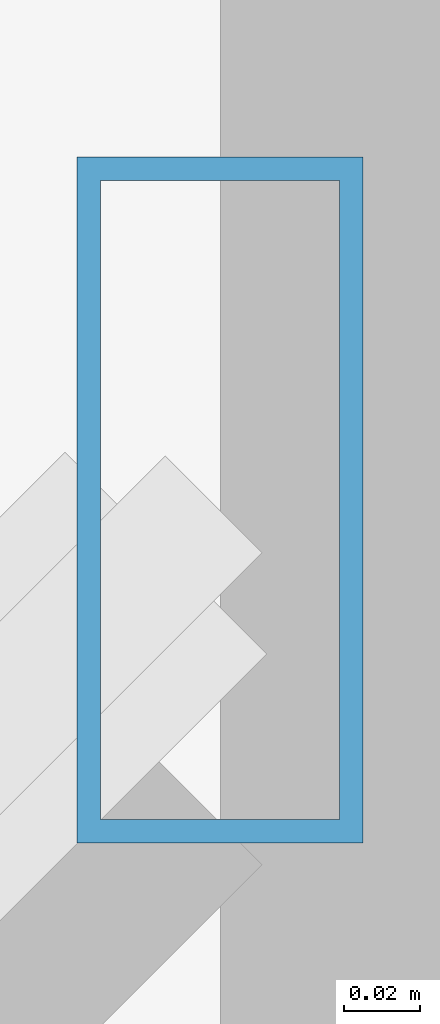
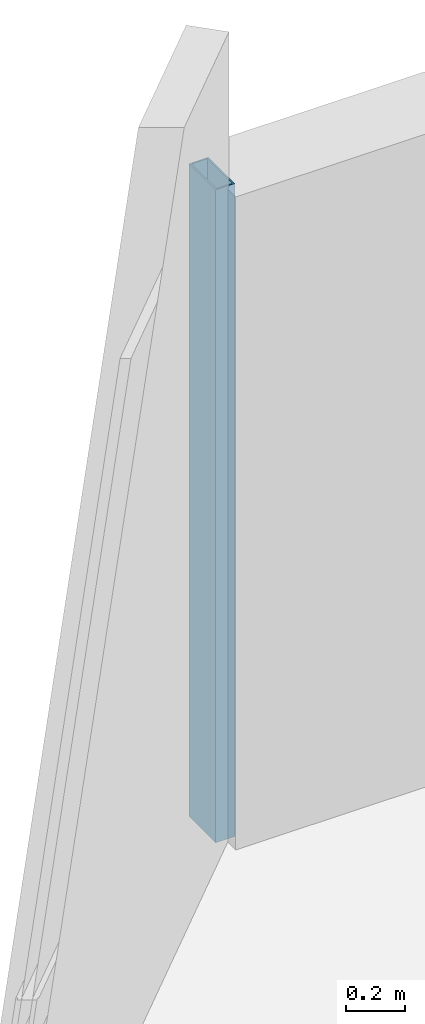
# One storey, part 9 of 33: 1 member, 1 element without a shape of its own.
"""IFC4 building model written with IfcOpenShell, lengths in metres."""

from ifc_helpers import new_model, si_unit, direction, frame, origin, origin_2d, place, context, subcontext, project, spatial, hollow_rectangle, extrude, material, material_profile, profile_set, type_object, element, aggregate, save


model = new_model("IFC4")

# Units and contexts
model_context = context("Model", 3, precision=1e-05, world=origin(), true_north=direction((0.0, 1.0)))
body_context = subcontext(model_context, "Body", "Model", "MODEL_VIEW")
ifc_project = project(units=[si_unit("LENGTHUNIT", "METRE"), si_unit("AREAUNIT", "SQUARE_METRE"), si_unit("VOLUMEUNIT", "CUBIC_METRE"), si_unit("PLANEANGLEUNIT", "RADIAN"), si_unit("MASSUNIT", "GRAM", prefix="KILO")], contexts=[model_context])

# Site, building, storey
site_placement = place(None, origin())
site = spatial("IfcSite", under=ifc_project, at=site_placement, CompositionType="ELEMENT")
building_placement = place(site_placement, origin())
building = spatial("IfcBuilding", under=site, at=building_placement, Name="Thornwick Lancets Civic Towers", CompositionType="ELEMENT")
storey_placement = place(building_placement, frame((0.0, 0.0, 214.5)))
storey = spatial("IfcBuildingStorey", under=building, at=storey_placement, Name="L57", CompositionType="ELEMENT", Elevation=214.5)

# Curtain wall, member
ifc_material_1 = material(Name="High-zone chamfered-corner unitised glass curtain wall", Category="glass")
curtain_wall_type = type_object("IfcCurtainWallType", Name="CW_SYS_05", PredefinedType="NOTDEFINED", material=ifc_material_1)
curtain_wall_placement = place(storey_placement, origin())
curtain_wall = element("IfcCurtainWall", 1, at=curtain_wall_placement, inside=storey, type_object=curtain_wall_type, Name="L57 Curtain Wall CW-L57-A-E5", PredefinedType="NOTDEFINED")
ifc_material_2 = material(Name="Thermally broken bronze aluminium S355", Category="steel")
ifc_material_profile = material_profile(ifc_material_2, hollow_rectangle(XDim=0.074951171875, YDim=0.179931640625, WallThickness=0.006103515625, at=origin_2d()), Name="RHS 180x75x6")
ifc_profile_set = profile_set([ifc_material_profile], Name="Thermally broken bronze aluminium S355")
member_type = type_object("IfcMemberType", Name="CW_MUL_180", PredefinedType="MULLION", material=ifc_profile_set)
member_placement = place(storey_placement, frame((4.87060546875, 50.7626953125, 0.0), z_axis=(0.0, 0.0, 1.0), x_axis=(1.0, 0.0, 0.0)))
member = element("IfcMember", 2, at=member_placement, type_object=member_type, Name="CW-L57-A-E5 Mullion 0", PredefinedType="MULLION", context=body_context, shape_type="SweptSolid", body=[
    extrude(hollow_rectangle(XDim=0.074951171875, YDim=0.179931640625, WallThickness=0.006103515625, at=origin_2d()), origin(), (0.0, 0.0, 1.0), 2.699951171875),
])
aggregate(curtain_wall, [member])

save(model, "model.ifc")
